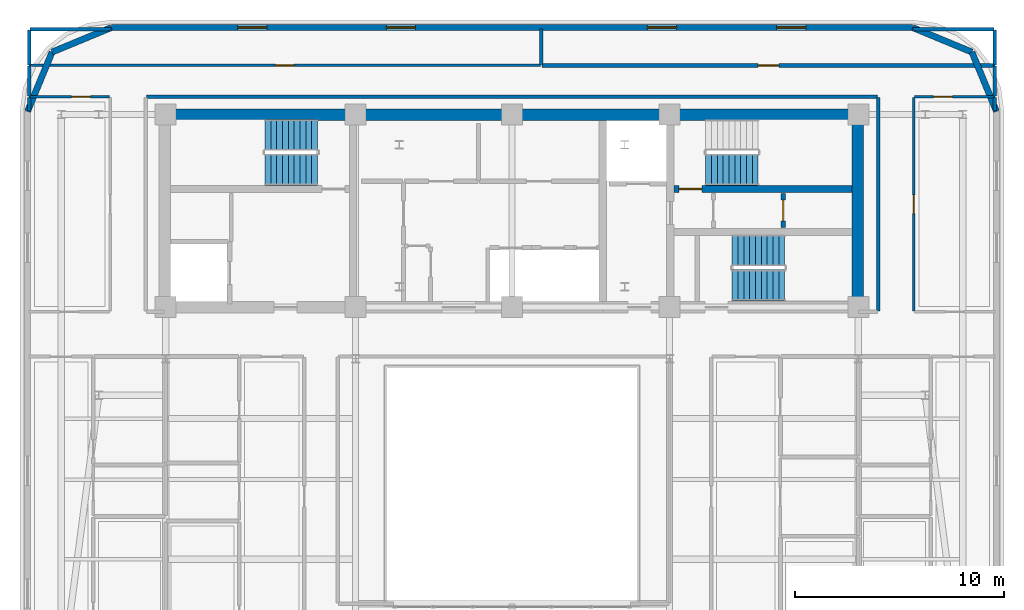
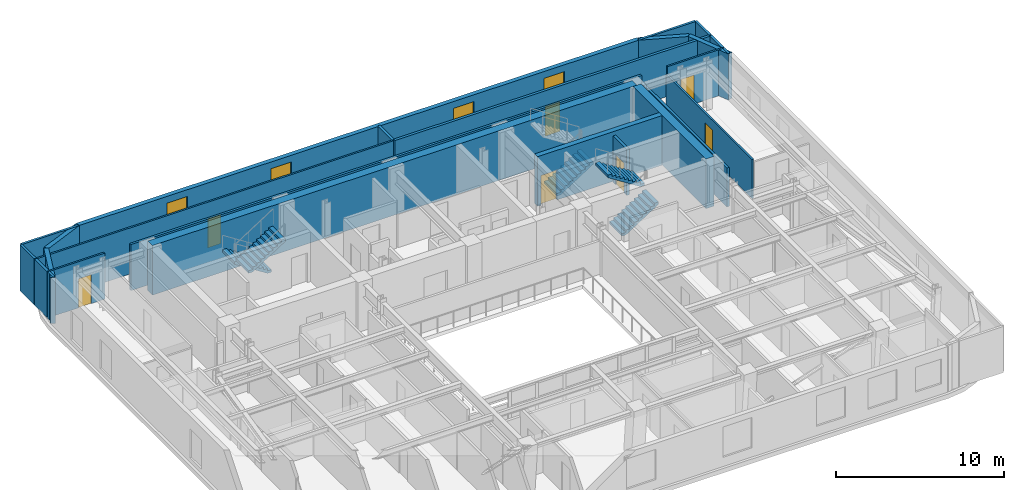
# One storey, part 10 of 15: 25 walls, 7 doors, 5 stair flights, 4 windows, 11 openings, 3 elements without a shape of their own.
"""IFC4 building model written with IfcOpenShell, lengths in metres."""

from ifc_helpers import new_model, si_unit, direction, frame, frame_2d, origin, place, context, subcontext, project, spatial, polyline, rectangle, outline, extrude, material, layer, layer_set, type_object, element, fill, aggregate, save


model = new_model("IFC4")

# Units and contexts
model_context = context("Model", 3, precision=1e-05, world=origin(), true_north=direction((0.0, 1.0)))
body_context = subcontext(model_context, "Body", "Model", "MODEL_VIEW")
ifc_project = project(units=[si_unit("LENGTHUNIT", "METRE"), si_unit("AREAUNIT", "SQUARE_METRE"), si_unit("VOLUMEUNIT", "CUBIC_METRE"), si_unit("PLANEANGLEUNIT", "RADIAN"), si_unit("MASSUNIT", "GRAM", prefix="KILO")], contexts=[model_context])

# Site, building, storey
site_placement = place(None, origin())
site = spatial("IfcSite", under=ifc_project, at=site_placement, CompositionType="ELEMENT")
building_placement = place(site_placement, origin())
building = spatial("IfcBuilding", under=site, at=building_placement, Name="Zarnavel Station Tower", CompositionType="ELEMENT")
storey_placement = place(building_placement, frame((0.0, 0.0, 196.800048828125)))
storey = spatial("IfcBuildingStorey", under=building, at=storey_placement, Name="L53", CompositionType="ELEMENT", Elevation=196.800048828125)

# Wall, opening, door
ifc_material_1 = material(Name="Concrete C50/60", Category="concrete")
ifc_layer_1 = layer(ifc_material_1, 0.35009765625)
ifc_layer_set_1 = layer_set([ifc_layer_1], Name="CW_350")
wall_type_1 = type_object("IfcWallType", Name="CW_350", PredefinedType="SHEAR", material=ifc_layer_set_1)
wall_1_placement = place(storey_placement, frame((45.10498046875, 33.47998046875, 0.0), z_axis=(0.0, 0.0, 1.0), x_axis=(-1.0, 0.0, 0.0)))
wall_1 = element("IfcWall", 1, at=wall_1_placement, inside=storey, type_object=wall_type_1, Name="L53 Rear Core Shear Wall DIV-H2", PredefinedType="SHEAR", context=body_context, shape_type="SweptSolid", body=[
    extrude(rectangle(XDim=8.550048828125, YDim=0.35009765625, at=frame_2d((4.27490234375, 0.0))), origin(), (0.0, 0.0, 1.0), 3.599853515625),
])
opening_1_placement = place(wall_1_placement, frame((7.205078125, 0.0, 0.0)))
opening_1 = element("IfcOpeningElement", 2, at=opening_1_placement, cuts=wall_1, Name="Opening FD01", PredefinedType="OPENING", context=body_context, shape_type="SweptSolid", body=[
    extrude(rectangle(XDim=1.10009765625, YDim=2.14990234375, at=frame_2d((0.550048828125, 1.074951171875))), frame((0.0, 0.18505859375, 0.0), z_axis=(0.0, -1.0, 0.0), x_axis=(1.0, 0.0, 0.0)), (0.0, 0.0, 1.0), 0.3701171875),
])
ifc_material_2 = material(Name="Painted Galvanised Steel and Hardwood Leaf", Category="steel")
door_type_1 = type_object("IfcDoorType", Name="ID_STAIR_1100", OperationType="NOTDEFINED", PredefinedType="DOOR", material=ifc_material_2)
door_1_placement = place(opening_1_placement, origin())
door_1 = element("IfcDoor", 3, at=door_1_placement, inside=storey, type_object=door_type_1, Name="L53 Stair ST2 Lobby Fire Door", OperationType="SINGLE_SWING_RIGHT", OverallHeight=2.14990234375, OverallWidth=1.10009765625, PredefinedType="DOOR", context=body_context, shape_type="SweptSolid", body=[
    extrude(rectangle(XDim=1.10009765625, YDim=2.14990234375, at=frame_2d((0.550048828125, 1.074951171875))), frame((0.0, 0.02490234375, 0.0), z_axis=(0.0, -1.0, 0.0), x_axis=(1.0, 0.0, 0.0)), (0.0, 0.0, 1.0), 0.050048828125),
])
fill(opening_1, door_1)

# Walls
ifc_material_3 = material(Name="Concrete C50/60", Category="concrete")
ifc_layer_2 = layer(ifc_material_3, 0.550048828125)
ifc_layer_set_2 = layer_set([ifc_layer_2], Name="CW_550")
wall_type_2 = type_object("IfcWallType", Name="CW_550", PredefinedType="SHEAR", material=ifc_layer_set_2)
wall_2_placement = place(storey_placement, frame((12.14990234375, 37.050048828125, 0.0), z_axis=(0.0, 0.0, 1.0), x_axis=(1.0, 0.0, 0.0)))
element("IfcWall", 4, at=wall_2_placement, inside=storey, type_object=wall_type_2, Name="L53 Rear Core Shear Wall N", PredefinedType="SHEAR", context=body_context, shape_type="SweptSolid", body=[
    extrude(rectangle(XDim=33.22998046875, YDim=0.550048828125, at=frame_2d((16.614990234375, 0.0))), origin(), (0.0, 0.0, 1.0), 3.599853515625),
])
wall_3_placement = place(storey_placement, frame((45.3798828125, 28.094970703125, 0.0), z_axis=(0.0, 0.0, 1.0), x_axis=(0.0, 1.0, 0.0)))
element("IfcWall", 5, at=wall_3_placement, inside=storey, type_object=wall_type_2, Name="L53 Rear Core Shear Wall E", PredefinedType="SHEAR", context=body_context, shape_type="SweptSolid", body=[
    extrude(rectangle(XDim=8.679931640625, YDim=0.550048828125, at=frame_2d((4.33984375, 0.0))), origin(), (0.0, 0.0, 1.0), 3.599853515625),
])
ifc_material_4 = material(Name="Precast concrete C45/55 (Dark Basalt Finish)", Category="masonry")
ifc_layer_3 = layer(ifc_material_4, 0.300048828125)
ifc_layer_set_3 = layer_set([ifc_layer_3], Name="EW_BASALT_300")
wall_type_3 = type_object("IfcWallType", Name="EW_BASALT_300", PredefinedType="SOLIDWALL", material=ifc_layer_set_3)
for number, where, z_axis, x_axis, name in (
    (6, (50.842529296875, 40.04248046875, 0.0), (0.0, 0.0, 1.0), (0.382704529509, -0.923870793506, 0.0), "L53 Exterior Basalt Masonry Frame Wall 04"),
    (7, (48.0, 41.219970703125, 0.0), (0.0, 0.0, 1.0), (0.923870793506, -0.382704529509, 0.0), "L53 Exterior Basalt Masonry Frame Wall 05"),
):
    element("IfcWall", number, at=place(storey_placement, frame(where, z_axis=z_axis, x_axis=x_axis)), inside=storey, type_object=wall_type_3, Name=name, PredefinedType="SOLIDWALL", context=body_context, shape_type="SweptSolid", body=[
        extrude(rectangle(XDim=3.07666015625, YDim=0.300048828125, at=frame_2d((1.538330078125, 0.0))), origin(), (0.0, 0.0, 1.0), 3.33984375),
    ])

# Wall, openings, windows
wall_4_placement = place(storey_placement, frame((9.60009765625, 41.219970703125, 0.0), z_axis=(0.0, 0.0, 1.0), x_axis=(1.0, 0.0, 0.0)))
wall_4 = element("IfcWall", 8, at=wall_4_placement, inside=storey, type_object=wall_type_3, Name="L53 Exterior Basalt Masonry Frame Wall 06", PredefinedType="SOLIDWALL", context=body_context, shape_type="SweptSolid", body=[
    extrude(rectangle(XDim=38.39990234375, YDim=0.300048828125, at=frame_2d((19.199951171875, 0.0))), origin(), (0.0, 0.0, 1.0), 3.33984375),
])
opening_2_placement = place(wall_4_placement, frame((6.046630859375, 0.0, 0.75)))
opening_2 = element("IfcOpeningElement", 9, at=opening_2_placement, cuts=wall_4, Name="Opening WN04", PredefinedType="OPENING", context=body_context, shape_type="SweptSolid", body=[
    extrude(rectangle(XDim=1.39990234375, YDim=2.10009765625, at=frame_2d((0.699951171875, 1.050048828125))), frame((0.0, 0.159912109375, 0.0), z_axis=(0.0, -1.0, 0.0), x_axis=(1.0, 0.0, 0.0)), (0.0, 0.0, 1.0), 0.320068359375),
])
opening_3_placement = place(wall_4_placement, frame((13.17333984375, 0.0, 0.75)))
opening_3 = element("IfcOpeningElement", 10, at=opening_3_placement, cuts=wall_4, Name="Opening WN04", PredefinedType="OPENING", context=body_context, shape_type="SweptSolid", body=[
    extrude(rectangle(XDim=1.39990234375, YDim=2.10009765625, at=frame_2d((0.699951171875, 1.050048828125))), frame((0.0, 0.159912109375, 0.0), z_axis=(0.0, -1.0, 0.0), x_axis=(1.0, 0.0, 0.0)), (0.0, 0.0, 1.0), 0.320068359375),
])
opening_4_placement = place(wall_4_placement, frame((25.693359375, 0.0, 0.75)))
opening_4 = element("IfcOpeningElement", 11, at=opening_4_placement, cuts=wall_4, Name="Opening WN04", PredefinedType="OPENING", context=body_context, shape_type="SweptSolid", body=[
    extrude(rectangle(XDim=1.39990234375, YDim=2.10009765625, at=frame_2d((0.699951171875, 1.050048828125))), frame((0.0, 0.159912109375, 0.0), z_axis=(0.0, -1.0, 0.0), x_axis=(1.0, 0.0, 0.0)), (0.0, 0.0, 1.0), 0.320068359375),
])
opening_5_placement = place(wall_4_placement, frame((31.88671875, 0.0, 0.75)))
opening_5 = element("IfcOpeningElement", 12, at=opening_5_placement, cuts=wall_4, Name="Opening WN04", PredefinedType="OPENING", context=body_context, shape_type="SweptSolid", body=[
    extrude(rectangle(XDim=1.39990234375, YDim=2.10009765625, at=frame_2d((0.699951171875, 1.050048828125))), frame((0.0, 0.159912109375, 0.0), z_axis=(0.0, -1.0, 0.0), x_axis=(1.0, 0.0, 0.0)), (0.0, 0.0, 1.0), 0.320068359375),
])
ifc_material_5 = material(Name="Thermally Broken Black Aluminium and Low-E Dark Glass", Category="aluminium")
window_type = type_object("IfcWindowType", Name="WN_1400x2100", PartitioningType="DOUBLE_PANEL_VERTICAL", PredefinedType="WINDOW", material=ifc_material_5)
window_1_placement = place(opening_2_placement, origin())
window_1 = element("IfcWindow", 13, at=window_1_placement, inside=storey, type_object=window_type, Name="L53 Recessed Facade Window 01", OverallHeight=2.10009765625, OverallWidth=1.39990234375, PartitioningType="SINGLE_PANEL", PredefinedType="WINDOW", context=body_context, shape_type="SweptSolid", body=[
    extrude(rectangle(XDim=1.39990234375, YDim=2.10009765625, at=frame_2d((0.699951171875, 1.050048828125))), frame((0.0, 0.030029296875, 0.0), z_axis=(0.0, -1.0, 0.0), x_axis=(1.0, 0.0, 0.0)), (0.0, 0.0, 1.0), 0.06005859375),
])
fill(opening_2, window_1)
window_2_placement = place(opening_3_placement, origin())
window_2 = element("IfcWindow", 14, at=window_2_placement, inside=storey, type_object=window_type, Name="L53 Recessed Facade Window 02", OverallHeight=2.10009765625, OverallWidth=1.39990234375, PartitioningType="SINGLE_PANEL", PredefinedType="WINDOW", context=body_context, shape_type="SweptSolid", body=[
    extrude(rectangle(XDim=1.39990234375, YDim=2.10009765625, at=frame_2d((0.699951171875, 1.050048828125))), frame((0.0, 0.030029296875, 0.0), z_axis=(0.0, -1.0, 0.0), x_axis=(1.0, 0.0, 0.0)), (0.0, 0.0, 1.0), 0.06005859375),
])
fill(opening_3, window_2)
window_3_placement = place(opening_4_placement, origin())
window_3 = element("IfcWindow", 15, at=window_3_placement, inside=storey, type_object=window_type, Name="L53 Recessed Facade Window 03", OverallHeight=2.10009765625, OverallWidth=1.39990234375, PartitioningType="SINGLE_PANEL", PredefinedType="WINDOW", context=body_context, shape_type="SweptSolid", body=[
    extrude(rectangle(XDim=1.39990234375, YDim=2.10009765625, at=frame_2d((0.699951171875, 1.050048828125))), frame((0.0, 0.030029296875, 0.0), z_axis=(0.0, -1.0, 0.0), x_axis=(1.0, 0.0, 0.0)), (0.0, 0.0, 1.0), 0.06005859375),
])
fill(opening_4, window_3)
window_4_placement = place(opening_5_placement, origin())
window_4 = element("IfcWindow", 16, at=window_4_placement, inside=storey, type_object=window_type, Name="L53 Recessed Facade Window 04", OverallHeight=2.10009765625, OverallWidth=1.39990234375, PartitioningType="SINGLE_PANEL", PredefinedType="WINDOW", context=body_context, shape_type="SweptSolid", body=[
    extrude(rectangle(XDim=1.39990234375, YDim=2.10009765625, at=frame_2d((0.699951171875, 1.050048828125))), frame((0.0, 0.030029296875, 0.0), z_axis=(0.0, -1.0, 0.0), x_axis=(1.0, 0.0, 0.0)), (0.0, 0.0, 1.0), 0.06005859375),
])
fill(opening_5, window_4)

# Walls
wall_5_placement = place(storey_placement, frame((6.75732421875, 40.04248046875, 0.0), z_axis=(0.0, 0.0, 1.0), x_axis=(0.923882414032, 0.382676475685, 0.0)))
element("IfcWall", 17, at=wall_5_placement, inside=storey, type_object=wall_type_3, Name="L53 Exterior Basalt Masonry Frame Wall 07", PredefinedType="SOLIDWALL", context=body_context, shape_type="SweptSolid", body=[
    extrude(rectangle(XDim=3.076904296875, YDim=0.300048828125, at=frame_2d((1.53857421875, 0.0))), origin(), (0.0, 0.0, 1.0), 3.33984375),
])
wall_6_placement = place(storey_placement, frame((5.580078125, 37.199951171875, 0.0), z_axis=(0.0, 0.0, 1.0), x_axis=(0.382636798336, 0.92389884758, 0.0)))
element("IfcWall", 18, at=wall_6_placement, inside=storey, type_object=wall_type_3, Name="L53 Exterior Basalt Masonry Frame Wall 08", PredefinedType="SOLIDWALL", context=body_context, shape_type="SweptSolid", body=[
    extrude(rectangle(XDim=3.07666015625, YDim=0.300048828125, at=frame_2d((1.538330078125, 0.0))), origin(), (0.0, 0.0, 1.0), 3.33984375),
])
ifc_material_6 = material(Name="Gypsum Twin-Stud Acoustic Fire Partition", Category="concrete")
ifc_layer_4 = layer(ifc_material_6, 0.159912109375)
ifc_layer_set_4 = layer_set([ifc_layer_4], Name="PT_DEMISE_160")
wall_type_4 = type_object("IfcWallType", Name="PT_DEMISE_160", PredefinedType="PARTITIONING", material=ifc_layer_set_4)
wall_7_placement = place(storey_placement, frame((46.35009765625, 27.6298828125, 0.0), z_axis=(0.0, 0.0, 1.0), x_axis=(0.0, 1.0, 0.0)))
element("IfcWall", 19, at=wall_7_placement, inside=storey, type_object=wall_type_4, Name="L53 Enclosure Wall COR-E", PredefinedType="PARTITIONING", context=body_context, shape_type="SweptSolid", body=[
    extrude(rectangle(XDim=10.240234375, YDim=0.159912109375, at=frame_2d((5.1201171875, 0.0))), origin(), (0.0, 0.0, 1.0), 2.820068359375),
])
wall_8_placement = place(storey_placement, frame((11.280029296875, 37.89990234375, 0.0), z_axis=(0.0, 0.0, 1.0), x_axis=(1.0, 0.0, 0.0)))
element("IfcWall", 20, at=wall_8_placement, inside=storey, type_object=wall_type_4, Name="L53 Enclosure Wall COR-N", PredefinedType="PARTITIONING", context=body_context, shape_type="SweptSolid", body=[
    extrude(rectangle(XDim=35.0400390625, YDim=0.159912109375, at=frame_2d((17.52001953125, 0.0))), origin(), (0.0, 0.0, 1.0), 3.33984375),
])
for number, where, z_axis, x_axis, name in (
    (21, (5.659912109375, 37.929931640625, 0.0), (0.0, 0.0, 1.0), (0.0, 1.0, 0.0), "L53 Enclosure Wall COR-N"),
    (22, (51.93994140625, 37.929931640625, 0.0), (0.0, 0.0, 1.0), (0.0, 1.0, 0.0), "L53 Enclosure Wall COR-N"),
):
    element("IfcWall", number, at=place(storey_placement, frame(where, z_axis=z_axis, x_axis=x_axis)), inside=storey, type_object=wall_type_4, Name=name, PredefinedType="PARTITIONING", context=body_context, shape_type="SweptSolid", body=[
        extrude(rectangle(XDim=1.440185546875, YDim=0.159912109375, at=frame_2d((0.72021484375, 0.0))), origin(), (0.0, 0.0, 1.0), 3.33984375),
    ])
for number, where, z_axis, x_axis, name in (
    (23, (5.659912109375, 37.22998046875, 0.0), (0.0, 0.0, 1.0), (0.0, 1.0, 0.0), "L53 Enclosure Wall FNW"),
    (24, (51.93994140625, 37.22998046875, 0.0), (0.0, 0.0, 1.0), (0.0, 1.0, 0.0), "L53 Enclosure Wall FNE"),
):
    element("IfcWall", number, at=place(storey_placement, frame(where, z_axis=z_axis, x_axis=x_axis)), inside=storey, type_object=wall_type_4, Name=name, PredefinedType="PARTITIONING", context=body_context, shape_type="SweptSolid", body=[
        extrude(rectangle(XDim=0.64013671875, YDim=0.159912109375, at=frame_2d((0.320068359375, 0.0))), origin(), (0.0, 0.0, 1.0), 3.33984375),
    ])
wall_9_placement = place(storey_placement, frame((5.68994140625, 41.139892578125, 0.0), z_axis=(0.0, 0.0, 1.0), x_axis=(1.0, 0.0, 0.0)))
element("IfcWall", 25, at=wall_9_placement, inside=storey, type_object=wall_type_4, Name="L53 Enclosure Wall NLOU", PredefinedType="PARTITIONING", context=body_context, shape_type="SweptSolid", body=[
    extrude(rectangle(XDim=3.880126953125, YDim=0.159912109375, at=frame_2d((1.93994140625, 0.0))), origin(), (0.0, 0.0, 1.0), 3.33984375),
])
wall_10_placement = place(storey_placement, frame((5.659912109375, 39.429931640625, 0.0), z_axis=(0.0, 0.0, 1.0), x_axis=(0.0, 1.0, 0.0)))
element("IfcWall", 26, at=wall_10_placement, inside=storey, type_object=wall_type_4, Name="L53 Enclosure Wall NLOU", PredefinedType="PARTITIONING", context=body_context, shape_type="SweptSolid", body=[
    extrude(rectangle(XDim=1.68017578125, YDim=0.159912109375, at=frame_2d((0.840087890625, 0.0))), origin(), (0.0, 0.0, 1.0), 3.33984375),
])
wall_11_placement = place(storey_placement, frame((48.030029296875, 41.139892578125, 0.0), z_axis=(0.0, 0.0, 1.0), x_axis=(1.0, 0.0, 0.0)))
element("IfcWall", 27, at=wall_11_placement, inside=storey, type_object=wall_type_4, Name="L53 Enclosure Wall NPAN", PredefinedType="PARTITIONING", context=body_context, shape_type="SweptSolid", body=[
    extrude(rectangle(XDim=3.8798828125, YDim=0.159912109375, at=frame_2d((1.93994140625, 0.0))), origin(), (0.0, 0.0, 1.0), 3.33984375),
])
wall_12_placement = place(storey_placement, frame((51.93994140625, 39.429931640625, 0.0), z_axis=(0.0, 0.0, 1.0), x_axis=(0.0, 1.0, 0.0)))
element("IfcWall", 28, at=wall_12_placement, inside=storey, type_object=wall_type_4, Name="L53 Enclosure Wall NPAN", PredefinedType="PARTITIONING", context=body_context, shape_type="SweptSolid", body=[
    extrude(rectangle(XDim=1.68017578125, YDim=0.159912109375, at=frame_2d((0.840087890625, 0.0))), origin(), (0.0, 0.0, 1.0), 3.33984375),
])

# Wall, opening, door
ifc_material_7 = material(Name="Gypsum Metal-Stud Interior Partition", Category="concrete")
ifc_layer_5 = layer(ifc_material_7, 0.1201171875)
ifc_layer_set_5 = layer_set([ifc_layer_5], Name="PT_ROOM_120")
wall_type_5 = type_object("IfcWallType", Name="PT_ROOM_120", PredefinedType="PARTITIONING", material=ifc_layer_set_5)
wall_13_placement = place(storey_placement, frame((48.050048828125, 27.639892578125, 0.0), z_axis=(0.0, 0.0, 1.0), x_axis=(0.0, 1.0, 0.0)))
wall_13 = element("IfcWall", 29, at=wall_13_placement, inside=storey, type_object=wall_type_5, Name="L53 Partition COR-E-FNE", PredefinedType="PARTITIONING", context=body_context, shape_type="SweptSolid", body=[
    extrude(rectangle(XDim=10.22021484375, YDim=0.1201171875, at=frame_2d((5.110107421875, 0.0))), origin(), (0.0, 0.0, 1.0), 2.820068359375),
])
opening_6_placement = place(wall_13_placement, frame((4.659912109375, 0.0, 0.0)))
opening_6 = element("IfcOpeningElement", 30, at=opening_6_placement, cuts=wall_13, Name="Opening ID01", PredefinedType="OPENING", context=body_context, shape_type="SweptSolid", body=[
    extrude(rectangle(XDim=0.89990234375, YDim=2.10009765625, at=frame_2d((0.449951171875, 1.050048828125))), frame((0.0, 0.070068359375, 0.0), z_axis=(0.0, -1.0, 0.0), x_axis=(1.0, 0.0, 0.0)), (0.0, 0.0, 1.0), 0.14013671875),
])
ifc_material_8 = material(Name="Painted Galvanised Steel and Hardwood Leaf", Category="steel")
door_type_2 = type_object("IfcDoorType", Name="ID_ROOM_900", OperationType="NOTDEFINED", PredefinedType="DOOR", material=ifc_material_8)
door_2_placement = place(opening_6_placement, origin())
door_2 = element("IfcDoor", 31, at=door_2_placement, inside=storey, type_object=door_type_2, Name="L53 Door COR-E-FNE", OperationType="SINGLE_SWING_RIGHT", OverallHeight=2.10009765625, OverallWidth=0.89990234375, PredefinedType="DOOR", context=body_context, shape_type="SweptSolid", body=[
    extrude(rectangle(XDim=0.89990234375, YDim=2.10009765625, at=frame_2d((0.449951171875, 1.050048828125))), frame((0.0, 0.02490234375, 0.0), z_axis=(0.0, -1.0, 0.0), x_axis=(1.0, 0.0, 0.0)), (0.0, 0.0, 1.0), 0.050048828125),
])
fill(opening_6, door_2)

wall_14_placement = place(storey_placement, frame((5.659912109375, 37.89990234375, 0.0), z_axis=(0.0, 0.0, 1.0), x_axis=(1.0, 0.0, 0.0)))
wall_14 = element("IfcWall", 32, at=wall_14_placement, inside=storey, type_object=wall_type_5, Name="L53 Partition COR-N-FNW", PredefinedType="PARTITIONING", context=body_context, shape_type="SweptSolid", body=[
    extrude(rectangle(XDim=3.85009765625, YDim=0.1201171875, at=frame_2d((1.925048828125, 0.0))), origin(), (0.0, 0.0, 1.0), 3.33984375),
])
opening_7_placement = place(wall_14_placement, frame((2.03125, 0.0, 0.0)))
opening_7 = element("IfcOpeningElement", 33, at=opening_7_placement, cuts=wall_14, Name="Opening ID01", PredefinedType="OPENING", context=body_context, shape_type="SweptSolid", body=[
    extrude(rectangle(XDim=0.89990234375, YDim=2.10009765625, at=frame_2d((0.449951171875, 1.050048828125))), frame((0.0, 0.070068359375, 0.0), z_axis=(0.0, -1.0, 0.0), x_axis=(1.0, 0.0, 0.0)), (0.0, 0.0, 1.0), 0.14013671875),
])
door_3_placement = place(opening_7_placement, origin())
door_3 = element("IfcDoor", 34, at=door_3_placement, inside=storey, type_object=door_type_2, Name="L53 Door COR-N-FNW", OperationType="SINGLE_SWING_LEFT", OverallHeight=2.10009765625, OverallWidth=0.89990234375, PredefinedType="DOOR", context=body_context, shape_type="SweptSolid", body=[
    extrude(rectangle(XDim=0.89990234375, YDim=2.10009765625, at=frame_2d((0.449951171875, 1.050048828125))), frame((0.0, 0.02490234375, 0.0), z_axis=(0.0, -1.0, 0.0), x_axis=(1.0, 0.0, 0.0)), (0.0, 0.0, 1.0), 0.050048828125),
])
fill(opening_7, door_3)

wall_15_placement = place(storey_placement, frame((48.090087890625, 37.89990234375, 0.0), z_axis=(0.0, 0.0, 1.0), x_axis=(1.0, 0.0, 0.0)))
wall_15 = element("IfcWall", 35, at=wall_15_placement, inside=storey, type_object=wall_type_5, Name="L53 Partition COR-N-FNE", PredefinedType="PARTITIONING", context=body_context, shape_type="SweptSolid", body=[
    extrude(rectangle(XDim=3.849853515625, YDim=0.1201171875, at=frame_2d((1.9248046875, 0.0))), origin(), (0.0, 0.0, 1.0), 3.33984375),
])
opening_8_placement = place(wall_15_placement, frame((0.918701171875, 0.0, 0.0)))
opening_8 = element("IfcOpeningElement", 36, at=opening_8_placement, cuts=wall_15, Name="Opening ID01", PredefinedType="OPENING", context=body_context, shape_type="SweptSolid", body=[
    extrude(rectangle(XDim=0.89990234375, YDim=2.10009765625, at=frame_2d((0.449951171875, 1.050048828125))), frame((0.0, 0.070068359375, 0.0), z_axis=(0.0, -1.0, 0.0), x_axis=(1.0, 0.0, 0.0)), (0.0, 0.0, 1.0), 0.14013671875),
])
door_4_placement = place(opening_8_placement, origin())
door_4 = element("IfcDoor", 37, at=door_4_placement, inside=storey, type_object=door_type_2, Name="L53 Door COR-N-FNE", OperationType="SINGLE_SWING_RIGHT", OverallHeight=2.10009765625, OverallWidth=0.89990234375, PredefinedType="DOOR", context=body_context, shape_type="SweptSolid", body=[
    extrude(rectangle(XDim=0.89990234375, YDim=2.10009765625, at=frame_2d((0.449951171875, 1.050048828125))), frame((0.0, 0.02490234375, 0.0), z_axis=(0.0, -1.0, 0.0), x_axis=(1.0, 0.0, 0.0)), (0.0, 0.0, 1.0), 0.050048828125),
])
fill(opening_8, door_4)

wall_16_placement = place(storey_placement, frame((5.659912109375, 39.39990234375, 0.0), z_axis=(0.0, 0.0, 1.0), x_axis=(1.0, 0.0, 0.0)))
wall_16 = element("IfcWall", 38, at=wall_16_placement, inside=storey, type_object=wall_type_5, Name="L53 Partition COR-N-NLOU", PredefinedType="PARTITIONING", context=body_context, shape_type="SweptSolid", body=[
    extrude(rectangle(XDim=24.5, YDim=0.1201171875, at=frame_2d((12.25, 0.0))), origin(), (0.0, 0.0, 1.0), 3.33984375),
])
opening_9_placement = place(wall_16_placement, frame((11.800048828125, 0.0, 0.0)))
opening_9 = element("IfcOpeningElement", 39, at=opening_9_placement, cuts=wall_16, Name="Opening ID01", PredefinedType="OPENING", context=body_context, shape_type="SweptSolid", body=[
    extrude(rectangle(XDim=0.89990234375, YDim=2.10009765625, at=frame_2d((0.449951171875, 1.050048828125))), frame((0.0, 0.070068359375, 0.0), z_axis=(0.0, -1.0, 0.0), x_axis=(1.0, 0.0, 0.0)), (0.0, 0.0, 1.0), 0.14013671875),
])
door_5_placement = place(opening_9_placement, origin())
door_5 = element("IfcDoor", 40, at=door_5_placement, inside=storey, type_object=door_type_2, Name="L53 Door COR-N-NLOU", OperationType="SINGLE_SWING_LEFT", OverallHeight=2.10009765625, OverallWidth=0.89990234375, PredefinedType="DOOR", context=body_context, shape_type="SweptSolid", body=[
    extrude(rectangle(XDim=0.89990234375, YDim=2.10009765625, at=frame_2d((0.449951171875, 1.050048828125))), frame((0.0, 0.02490234375, 0.0), z_axis=(0.0, -1.0, 0.0), x_axis=(1.0, 0.0, 0.0)), (0.0, 0.0, 1.0), 0.050048828125),
])
fill(opening_9, door_5)

ifc_material_9 = material(Name="Precast concrete C45/55 (Fire Shaft Blockwork)", Category="masonry")
ifc_layer_6 = layer(ifc_material_9, 0.199951171875)
ifc_layer_set_6 = layer_set([ifc_layer_6], Name="PT_SHAFT_200")
wall_type_6 = type_object("IfcWallType", Name="PT_SHAFT_200", PredefinedType="PARTITIONING", material=ifc_layer_set_6)
wall_17_placement = place(storey_placement, frame((41.800048828125, 31.639892578125, 0.0), z_axis=(0.0, 0.0, 1.0), x_axis=(0.0, 1.0, 0.0)))
wall_17 = element("IfcWall", 41, at=wall_17_placement, inside=storey, type_object=wall_type_6, Name="L53 Partition CEA-CEB", PredefinedType="PARTITIONING", context=body_context, shape_type="SweptSolid", body=[
    extrude(rectangle(XDim=1.6201171875, YDim=0.199951171875, at=frame_2d((0.81005859375, 0.0))), origin(), (0.0, 0.0, 1.0), 3.33984375),
])
opening_10_placement = place(wall_17_placement, frame((0.31005859375, 0.0, 0.0)))
opening_10 = element("IfcOpeningElement", 42, at=opening_10_placement, cuts=wall_17, Name="Opening FD02", PredefinedType="OPENING", context=body_context, shape_type="SweptSolid", body=[
    extrude(rectangle(XDim=1.0, YDim=2.14990234375, at=frame_2d((0.5, 1.074951171875))), frame((0.0, 0.10986328125, 0.0), z_axis=(0.0, -1.0, 0.0), x_axis=(1.0, 0.0, 0.0)), (0.0, 0.0, 1.0), 0.219970703125),
])
ifc_material_10 = material(Name="Painted Galvanised Steel and Hardwood Leaf", Category="steel")
door_type_3 = type_object("IfcDoorType", Name="ID_ENTRY_1000", OperationType="NOTDEFINED", PredefinedType="DOOR", material=ifc_material_10)
door_6_placement = place(opening_10_placement, origin())
door_6 = element("IfcDoor", 43, at=door_6_placement, inside=storey, type_object=door_type_3, Name="L53 Door CEA-CEB", OperationType="SINGLE_SWING_RIGHT", OverallHeight=2.14990234375, OverallWidth=1.0, PredefinedType="DOOR", context=body_context, shape_type="SweptSolid", body=[
    extrude(rectangle(XDim=1.0, YDim=2.14990234375, at=frame_2d((0.5, 1.074951171875))), frame((0.0, 0.02490234375, 0.0), z_axis=(0.0, -1.0, 0.0), x_axis=(1.0, 0.0, 0.0)), (0.0, 0.0, 1.0), 0.050048828125),
])
fill(opening_10, door_6)

ifc_material_11 = material(Name="Moisture-Resistant Plumbing Chase Wall", Category="concrete")
ifc_layer_7 = layer(ifc_material_11, 0.179931640625)
ifc_layer_set_7 = layer_set([ifc_layer_7], Name="PW_PLUMB_180")
wall_type_7 = type_object("IfcWallType", Name="PW_PLUMB_180", PredefinedType="PLUMBINGWALL", material=ifc_layer_set_7)
wall_18_placement = place(storey_placement, frame((30.239990234375, 39.39990234375, 0.0), z_axis=(0.0, 0.0, 1.0), x_axis=(1.0, 0.0, 0.0)))
wall_18 = element("IfcWall", 44, at=wall_18_placement, inside=storey, type_object=wall_type_7, Name="L53 Partition COR-N-NPAN", PredefinedType="PLUMBINGWALL", context=body_context, shape_type="SweptSolid", body=[
    extrude(rectangle(XDim=21.699951171875, YDim=0.179931640625, at=frame_2d((10.85009765625, 0.0))), origin(), (0.0, 0.0, 1.0), 3.33984375),
])
opening_11_placement = place(wall_18_placement, frame((10.35009765625, 0.0, 0.0)))
opening_11 = element("IfcOpeningElement", 45, at=opening_11_placement, cuts=wall_18, Name="Opening FD02", PredefinedType="OPENING", context=body_context, shape_type="SweptSolid", body=[
    extrude(rectangle(XDim=1.0, YDim=2.14990234375, at=frame_2d((0.5, 1.074951171875))), frame((0.0, 0.099853515625, 0.0), z_axis=(0.0, -1.0, 0.0), x_axis=(1.0, 0.0, 0.0)), (0.0, 0.0, 1.0), 0.199951171875),
])
door_7_placement = place(opening_11_placement, origin())
door_7 = element("IfcDoor", 46, at=door_7_placement, inside=storey, type_object=door_type_3, Name="L53 Door COR-N-NPAN", OperationType="SINGLE_SWING_RIGHT", OverallHeight=2.14990234375, OverallWidth=1.0, PredefinedType="DOOR", context=body_context, shape_type="SweptSolid", body=[
    extrude(rectangle(XDim=1.0, YDim=2.14990234375, at=frame_2d((0.5, 1.074951171875))), frame((0.0, 0.02490234375, 0.0), z_axis=(0.0, -1.0, 0.0), x_axis=(1.0, 0.0, 0.0)), (0.0, 0.0, 1.0), 0.050048828125),
])
fill(opening_11, door_7)

# Wall
wall_19_placement = place(storey_placement, frame((30.199951171875, 39.43994140625, 0.0), z_axis=(0.0, 0.0, 1.0), x_axis=(0.0, 1.0, 0.0)))
element("IfcWall", 47, at=wall_19_placement, inside=storey, type_object=wall_type_7, Name="L53 Partition NLOU-NPAN", PredefinedType="PLUMBINGWALL", context=body_context, shape_type="SweptSolid", body=[
    extrude(rectangle(XDim=1.699951171875, YDim=0.179931640625, at=frame_2d((0.85009765625, 0.0))), origin(), (0.0, 0.0, 1.0), 3.33984375),
])

# Stair, stair flights
ifc_material_12 = material(Name="Concrete C45/55", Category="concrete")
stair_type = type_object("IfcStairType", Name="ST_CORE_150", PredefinedType="HALF_TURN_STAIR", material=ifc_material_12)
stair_1_placement = place(storey_placement, origin())
stair_1 = element("IfcStair", 48, at=stair_1_placement, inside=storey, type_object=stair_type, Name="L53 Core Exit Stair ST1", PredefinedType="HALF_TURN_STAIR")
ifc_material_13 = material(Name="Concrete C45/55", Category="concrete")
ifc_layer_8 = layer(ifc_material_13, 0.179931640625)
ifc_layer_set_8 = layer_set([ifc_layer_8], Name="ST_CORE_150_FLT")
stair_flight_type = type_object("IfcStairFlightType", Name="ST_CORE_150_FLT", PredefinedType="STRAIGHT", material=ifc_layer_set_8)
stair_flight_1_placement = place(storey_placement, frame((19.47998046875, 36.070068359375, 0.0), z_axis=(0.0, 0.0, 1.0), x_axis=(-1.0, 0.0, 0.0)))
stair_flight_1 = element("IfcStairFlight", 49, at=stair_flight_1_placement, type_object=stair_flight_type, Name="ST1 flight 1", NumberOfRisers=10, NumberOfTreads=9, PredefinedType="STRAIGHT", RiserHeight=0.18, TreadLength=0.28, context=body_context, shape_type="SweptSolid", body=[
    extrude(outline(polyline([(0.0, 0.0), (0.0, 0.179931640625), (0.280029296875, 0.179931640625), (0.280029296875, 0.360107421875), (0.56005859375, 0.360107421875), (0.56005859375, 0.5400390625), (0.840087890625, 0.5400390625), (0.840087890625, 0.719970703125), (1.1201171875, 0.719970703125), (1.1201171875, 0.89990234375), (1.39990234375, 0.89990234375), (1.39990234375, 1.080078125), (1.679931640625, 1.080078125), (1.679931640625, 1.260009765625), (1.9599609375, 1.260009765625), (1.9599609375, 1.43994140625), (2.239990234375, 1.43994140625), (2.239990234375, 1.6201171875), (2.52001953125, 1.6201171875), (2.52001953125, 1.800048828125), (2.52001953125, 1.44189453125), (0.277099609375, 0.0), (0.0, 0.0)])), frame((0.0, 0.75, 0.0), z_axis=(0.0, -1.0, 0.0), x_axis=(1.0, 0.0, 0.0)), (0.0, 0.0, 1.0), 1.5),
])
stair_flight_2_placement = place(storey_placement, frame((16.9599609375, 34.409912109375, 1.800048828125), z_axis=(0.0, 0.0, 1.0), x_axis=(1.0, 0.0, 0.0)))
stair_flight_2 = element("IfcStairFlight", 50, at=stair_flight_2_placement, type_object=stair_flight_type, Name="ST1 flight 2", NumberOfRisers=10, NumberOfTreads=9, PredefinedType="STRAIGHT", RiserHeight=0.18, TreadLength=0.28, context=body_context, shape_type="SweptSolid", body=[
    extrude(outline(polyline([(0.0, 0.0), (0.0, 0.179931640625), (0.280029296875, 0.179931640625), (0.280029296875, 0.360107421875), (0.56005859375, 0.360107421875), (0.56005859375, 0.5400390625), (0.840087890625, 0.5400390625), (0.840087890625, 0.719970703125), (1.1201171875, 0.719970703125), (1.1201171875, 0.89990234375), (1.39990234375, 0.89990234375), (1.39990234375, 1.080078125), (1.679931640625, 1.080078125), (1.679931640625, 1.260009765625), (1.9599609375, 1.260009765625), (1.9599609375, 1.43994140625), (2.239990234375, 1.43994140625), (2.239990234375, 1.6201171875), (2.52001953125, 1.6201171875), (2.52001953125, 1.800048828125), (2.52001953125, 1.44189453125), (0.277099609375, 0.0), (0.0, 0.0)])), frame((0.0, 0.75, 0.0), z_axis=(0.0, -1.0, 0.0), x_axis=(1.0, 0.0, 0.0)), (0.0, 0.0, 1.0), 1.5),
])
aggregate(stair_1, [stair_flight_1, stair_flight_2])

# Stair, stair flight
stair_2_placement = place(storey_placement, origin())
stair_2 = element("IfcStair", 51, at=stair_2_placement, inside=storey, type_object=stair_type, Name="L53 Core Exit Stair ST2", PredefinedType="HALF_TURN_STAIR")
stair_flight_3_placement = place(storey_placement, frame((38.080078125, 34.409912109375, 0.0), z_axis=(0.0, 0.0, 1.0), x_axis=(1.0, 0.0, 0.0)))
stair_flight_3 = element("IfcStairFlight", 52, at=stair_flight_3_placement, type_object=stair_flight_type, Name="ST2 flight 1", NumberOfRisers=10, NumberOfTreads=9, PredefinedType="STRAIGHT", RiserHeight=0.18, TreadLength=0.28, context=body_context, shape_type="SweptSolid", body=[
    extrude(outline(polyline([(0.0, 0.0), (0.0, 0.179931640625), (0.280029296875, 0.179931640625), (0.280029296875, 0.360107421875), (0.56005859375, 0.360107421875), (0.56005859375, 0.5400390625), (0.840087890625, 0.5400390625), (0.840087890625, 0.719970703125), (1.1201171875, 0.719970703125), (1.1201171875, 0.89990234375), (1.39990234375, 0.89990234375), (1.39990234375, 1.080078125), (1.679931640625, 1.080078125), (1.679931640625, 1.260009765625), (1.9599609375, 1.260009765625), (1.9599609375, 1.43994140625), (2.239990234375, 1.43994140625), (2.239990234375, 1.6201171875), (2.52001953125, 1.6201171875), (2.52001953125, 1.800048828125), (2.52001953125, 1.44189453125), (0.277099609375, 0.0), (0.0, 0.0)])), frame((0.0, 0.75, 0.0), z_axis=(0.0, -1.0, 0.0), x_axis=(1.0, 0.0, 0.0)), (0.0, 0.0, 1.0), 1.5),
])
aggregate(stair_2, [stair_flight_3])

# Stair, stair flights
stair_3_placement = place(storey_placement, origin())
stair_3 = element("IfcStair", 53, at=stair_3_placement, inside=storey, type_object=stair_type, Name="L53 Core Exit Stair ST3", PredefinedType="HALF_TURN_STAIR")
stair_flight_4_placement = place(storey_placement, frame((39.35009765625, 28.8701171875, 0.0), z_axis=(0.0, 0.0, 1.0), x_axis=(1.0, 0.0, 0.0)))
stair_flight_4 = element("IfcStairFlight", 54, at=stair_flight_4_placement, type_object=stair_flight_type, Name="ST3 flight 1", NumberOfRisers=10, NumberOfTreads=9, PredefinedType="STRAIGHT", RiserHeight=0.18, TreadLength=0.28, context=body_context, shape_type="SweptSolid", body=[
    extrude(outline(polyline([(0.0, 0.0), (0.0, 0.179931640625), (0.280029296875, 0.179931640625), (0.280029296875, 0.360107421875), (0.56005859375, 0.360107421875), (0.56005859375, 0.5400390625), (0.840087890625, 0.5400390625), (0.840087890625, 0.719970703125), (1.1201171875, 0.719970703125), (1.1201171875, 0.89990234375), (1.39990234375, 0.89990234375), (1.39990234375, 1.080078125), (1.679931640625, 1.080078125), (1.679931640625, 1.260009765625), (1.9599609375, 1.260009765625), (1.9599609375, 1.43994140625), (2.239990234375, 1.43994140625), (2.239990234375, 1.6201171875), (2.52001953125, 1.6201171875), (2.52001953125, 1.800048828125), (2.52001953125, 1.44189453125), (0.277099609375, 0.0), (0.0, 0.0)])), frame((0.0, 0.75, 0.0), z_axis=(0.0, -1.0, 0.0), x_axis=(1.0, 0.0, 0.0)), (0.0, 0.0, 1.0), 1.5),
])
stair_flight_5_placement = place(storey_placement, frame((41.8701171875, 30.530029296875, 1.800048828125), z_axis=(0.0, 0.0, 1.0), x_axis=(-1.0, 0.0, 0.0)))
stair_flight_5 = element("IfcStairFlight", 55, at=stair_flight_5_placement, type_object=stair_flight_type, Name="ST3 flight 2", NumberOfRisers=10, NumberOfTreads=9, PredefinedType="STRAIGHT", RiserHeight=0.18, TreadLength=0.28, context=body_context, shape_type="SweptSolid", body=[
    extrude(outline(polyline([(0.0, 0.0), (0.0, 0.179931640625), (0.280029296875, 0.179931640625), (0.280029296875, 0.360107421875), (0.56005859375, 0.360107421875), (0.56005859375, 0.5400390625), (0.840087890625, 0.5400390625), (0.840087890625, 0.719970703125), (1.1201171875, 0.719970703125), (1.1201171875, 0.89990234375), (1.39990234375, 0.89990234375), (1.39990234375, 1.080078125), (1.679931640625, 1.080078125), (1.679931640625, 1.260009765625), (1.9599609375, 1.260009765625), (1.9599609375, 1.43994140625), (2.239990234375, 1.43994140625), (2.239990234375, 1.6201171875), (2.52001953125, 1.6201171875), (2.52001953125, 1.800048828125), (2.52001953125, 1.44189453125), (0.277099609375, 0.0), (0.0, 0.0)])), frame((0.0, 0.75, 0.0), z_axis=(0.0, -1.0, 0.0), x_axis=(1.0, 0.0, 0.0)), (0.0, 0.0, 1.0), 1.5),
])
aggregate(stair_3, [stair_flight_4, stair_flight_5])

save(model, "model.ifc")
